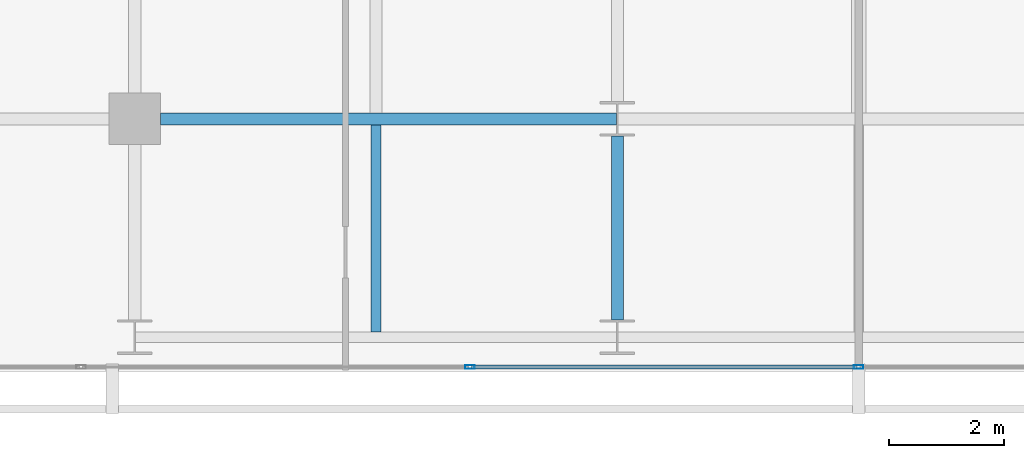
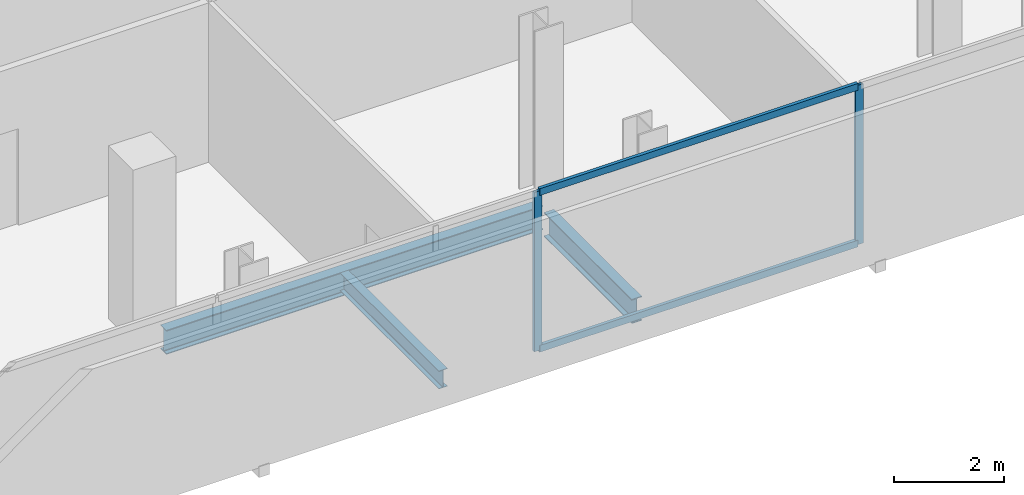
# One storey, part 6 of 32: 4 members, 3 beams, 1 element without a shape of its own.
"""IFC4 building model written with IfcOpenShell, lengths in metres."""

import ifcopenshell
import ifcopenshell.guid

model = None  # the IFC model being written
_history = None  # IfcOwnerHistory: only IFC2X3 demands one
_inside = {}  # id of a spatial element -> (the spatial element, [elements in it])
_under = {}  # id of a project, library or spatial element -> (it, [spatial elements below it])
_declared = {}  # id of a project -> (the project, [libraries it declares])
_typed = {}  # id of a type object -> (the type object, [elements of that type])
_made_of = {}  # id of a material, layer set ... -> (it, [elements and type objects made of it])


def new_model(schema):
    """Start an empty IFC model of exactly this schema.

    Asked for "IFC4X3", IfcOpenShell would pick the latest addendum, in which some entities
    have other attributes; the version numbers below select the first issue.
    IFC2X3 requires an IfcOwnerHistory on every rooted entity: one is made here for all.
    """
    global model, _history
    if schema == "IFC4X3":
        model = ifcopenshell.file(schema_version=(4, 3, 0, 0))
    else:
        model = ifcopenshell.file(schema=schema)
    _inside.clear()
    _under.clear()
    _declared.clear()
    _typed.clear()
    _made_of.clear()
    _history = None
    if model.schema == "IFC2X3":
        org = make("IfcOrganization", Name="unknown")
        user = make(
            "IfcPersonAndOrganization",
            ThePerson=make("IfcPerson", FamilyName="unknown"),
            TheOrganization=org,
        )
        app = make(
            "IfcApplication",
            ApplicationDeveloper=org,
            Version="unknown",
            ApplicationFullName="unknown",
            ApplicationIdentifier="unknown",
        )
        _history = make(
            "IfcOwnerHistory",
            OwningUser=user,
            OwningApplication=app,
            ChangeAction="ADDED",
            CreationDate=0,
        )
    return model


def make(cls, **values):
    """One entity of the class cls with the attributes given. An attribute that is None is left unset."""
    return model.create_entity(
        cls, **{name: value for name, value in values.items() if value is not None}
    )


def rooted(cls, **values):
    """An entity with a GlobalId (a new one), such as an element, a storey or a relation."""
    return make(cls, GlobalId=ifcopenshell.guid.new(), OwnerHistory=_history, **values)


def si_unit(unit_type, name, prefix=None):
    """IfcSIUnit, for example si_unit("LENGTHUNIT", "METRE", prefix="MILLI")."""
    return make("IfcSIUnit", UnitType=unit_type, Prefix=prefix, Name=name)


def assignment(units):
    """IfcUnitAssignment: the units of a project."""
    return None if units is None else make("IfcUnitAssignment", Units=units)


def point(xyz):
    """IfcCartesianPoint."""
    return None if xyz is None else make("IfcCartesianPoint", Coordinates=xyz)


def direction(xyz):
    """IfcDirection."""
    return None if xyz is None else make("IfcDirection", DirectionRatios=xyz)


def frame(location, z_axis=None, x_axis=None):
    """IfcAxis2Placement3D, a coordinate frame: its origin and axes. An axis left out is left unset."""
    return make(
        "IfcAxis2Placement3D",
        Location=point(location),
        Axis=direction(z_axis),
        RefDirection=direction(x_axis),
    )


def frame_2d(location, x_axis=None):
    """IfcAxis2Placement2D, a coordinate frame in the plane: its origin and x axis."""
    return make(
        "IfcAxis2Placement2D", Location=point(location), RefDirection=direction(x_axis)
    )


def origin():
    """The frame at (0, 0, 0) with its axes left unset."""
    return frame((0.0, 0.0, 0.0))


def origin_2d():
    """The frame at (0, 0) in the plane with its x axis left unset."""
    return frame_2d((0.0, 0.0))


def place(relative_to, where):
    """IfcLocalPlacement: puts the frame where relative to a parent placement (None: the world)."""
    return make(
        "IfcLocalPlacement", PlacementRelTo=relative_to, RelativePlacement=where
    )


def context(
    kind, dimensions, precision=None, world=None, true_north=None, identifier=None
):
    """IfcGeometricRepresentationContext, for example the 3D "Model" context."""
    return make(
        "IfcGeometricRepresentationContext",
        ContextIdentifier=identifier,
        ContextType=kind,
        CoordinateSpaceDimension=dimensions,
        Precision=precision,
        WorldCoordinateSystem=world,
        TrueNorth=true_north,
    )


def subcontext(parent, identifier, kind, view, scale=None):
    """IfcGeometricRepresentationSubContext, for example "Body" below "Model"."""
    return make(
        "IfcGeometricRepresentationSubContext",
        ContextIdentifier=identifier,
        ContextType=kind,
        ParentContext=parent,
        TargetScale=scale,
        TargetView=view,
    )


def project(units=None, contexts=None):
    """IfcProject with its units and contexts."""
    return rooted(
        "IfcProject",
        Name="project",
        RepresentationContexts=contexts,
        UnitsInContext=assignment(units),
    )


def spatial(cls, under=None, at=None, **own):
    """A site, building, storey or space (cls), placed at a placement, below another one or the project."""
    s = rooted(cls, ObjectPlacement=at, **own)
    if under is not None:
        _under.setdefault(under.id(), (under, []))[1].append(s)
    return s


def profile(cls, at=None, kind="AREA", **sizes):
    """A parametric profile (cls). Its sizes go by their IFC names, for example OverallWidth=200.0."""
    return make(cls, ProfileType=kind, Position=at, **sizes)


def hollow_rectangle(**sizes):
    """IfcRectangleHollowProfileDef."""
    return profile("IfcRectangleHollowProfileDef", **sizes)


def i_section(**sizes):
    """IfcIShapeProfileDef."""
    return profile("IfcIShapeProfileDef", **sizes)


def extrude(swept, where, along, depth):
    """IfcExtrudedAreaSolid: the profile swept, set in the frame where, extruded along a direction by depth."""
    return make(
        "IfcExtrudedAreaSolid",
        SweptArea=swept,
        Position=where,
        ExtrudedDirection=direction(along),
        Depth=depth,
    )


def shape(context_of_items, identifier, shape_type, items):
    """IfcShapeRepresentation: the items that make up one representation, for example the "Body"."""
    return make(
        "IfcShapeRepresentation",
        ContextOfItems=context_of_items,
        RepresentationIdentifier=identifier,
        RepresentationType=shape_type,
        Items=items,
    )


def material(Name=None, Category=None):
    """IfcMaterial."""
    return make("IfcMaterial", Name=Name, Category=Category)


def layer(
    of_material, thickness, ventilated=None, Name=None, Category=None, Priority=None
):
    """IfcMaterialLayer: one layer of a wall or slab, of a material (None: an air gap)."""
    return make(
        "IfcMaterialLayer",
        Material=of_material,
        LayerThickness=thickness,
        IsVentilated=ventilated,
        Name=Name,
        Category=Category,
        Priority=Priority,
    )


def layer_set(layers, Name=None):
    """IfcMaterialLayerSet."""
    return make("IfcMaterialLayerSet", MaterialLayers=layers, LayerSetName=Name)


def material_profile(
    of_material, cross_section, Name=None, Category=None, Priority=None
):
    """IfcMaterialProfile: a cross section and its material."""
    return make(
        "IfcMaterialProfile",
        Name=Name,
        Material=of_material,
        Profile=cross_section,
        Priority=Priority,
        Category=Category,
    )


def profile_set(profiles, Name=None, composite=None):
    """IfcMaterialProfileSet."""
    return make(
        "IfcMaterialProfileSet",
        Name=Name,
        MaterialProfiles=profiles,
        CompositeProfile=composite,
    )


def made_of(thing, what):
    """Note that an element or type object is made of a material, layer set ...; save() writes the relation."""
    if what is not None:
        _made_of.setdefault(what.id(), (what, []))[1].append(thing)
    return thing


def type_object(cls, material=None, **own):
    """A type object (cls), such as IfcWallType, which elements share."""
    return made_of(rooted(cls, **own), material)


def element(
    cls,
    number,
    at=None,
    inside=None,
    cuts=None,
    type_object=None,
    material=None,
    context=None,
    identifier="Body",
    shape_type=None,
    held_by="IfcProductDefinitionShape",
    body=None,
    shapes=None,
    **own,
):
    """One element of the class cls, such as IfcWall. Its Tag is "e" and its number.

    at: its placement. inside: the storey or other place that contains it. cuts: it is an
    opening in that element (IfcRelVoidsElement). A single representation is given by context,
    identifier, shape_type and body (its items); several are given by shapes. held_by: the class
    of the entity that holds the representations. save() writes the other relations.
    """
    e = rooted(cls, Tag="e%d" % number, ObjectPlacement=at, **own)
    if body is not None:
        shapes = [shape(context, identifier, shape_type, body)]
    if shapes is not None:
        e.Representation = make(held_by, Representations=shapes)
    if inside is not None:
        _inside.setdefault(inside.id(), (inside, []))[1].append(e)
    if cuts is not None:
        rooted(
            "IfcRelVoidsElement", RelatingBuildingElement=cuts, RelatedOpeningElement=e
        )
    if type_object is not None:
        _typed.setdefault(type_object.id(), (type_object, []))[1].append(e)
    return made_of(e, material)


def aggregate(whole, parts):
    """IfcRelAggregates: a whole, such as a stair, and the parts it consists of."""
    return rooted("IfcRelAggregates", RelatingObject=whole, RelatedObjects=parts)


def save(model, path):
    """Write the relations noted so far, then the file.

    IfcRelAggregates (storeys below a building ...), IfcRelContainedInSpatialStructure (elements
    in a storey), IfcRelDefinesByType, IfcRelAssociatesMaterial and IfcRelDeclares: one each for
    every whole, place, type object, material and project.
    """
    for whole, parts in _under.values():
        aggregate(whole, parts)
    for where, things in _inside.values():
        rooted(
            "IfcRelContainedInSpatialStructure",
            RelatedElements=things,
            RelatingStructure=where,
        )
    for kind, things in _typed.values():
        rooted("IfcRelDefinesByType", RelatedObjects=things, RelatingType=kind)
    for what, things in _made_of.values():
        rooted("IfcRelAssociatesMaterial", RelatedObjects=things, RelatingMaterial=what)
    for by, libraries in _declared.values():
        rooted("IfcRelDeclares", RelatingContext=by, RelatedDefinitions=libraries)
    model.write(path)


model = new_model("IFC4")

# Units and contexts
model_context = context("Model", 3, precision=1e-05, world=origin(), true_north=direction((0.0, 1.0)))
body_context = subcontext(model_context, "Body", "Model", "MODEL_VIEW")
ifc_project = project(units=[si_unit("LENGTHUNIT", "METRE"), si_unit("AREAUNIT", "SQUARE_METRE"), si_unit("VOLUMEUNIT", "CUBIC_METRE"), si_unit("PLANEANGLEUNIT", "RADIAN"), si_unit("MASSUNIT", "GRAM", prefix="KILO")], contexts=[model_context])

# Site, building, storey
site_placement = place(None, origin())
site = spatial("IfcSite", under=ifc_project, at=site_placement, CompositionType="ELEMENT")
building_placement = place(site_placement, origin())
building = spatial("IfcBuilding", under=site, at=building_placement, Name="Maruvema Waterfront Hotel and Observation Tower", CompositionType="ELEMENT")
storey_placement = place(building_placement, frame((0.0, 0.0, 223.64990234375)))
storey = spatial("IfcBuildingStorey", under=building, at=storey_placement, Name="L55", CompositionType="ELEMENT", Elevation=223.64990234375)

# Curtain wall, members
ifc_material_1 = material(Name="Anodised bronze aluminium and solar-control low-E IGU", Category="aluminium")
ifc_layer = layer(ifc_material_1, 0.159912109375, Name="Zone 2 Amber Inner Thermal Curtain Wall System CW-03")
ifc_layer_set = layer_set([ifc_layer], Name="Anodised bronze aluminium and solar-control low-E IGU")
curtain_wall_type = type_object("IfcCurtainWallType", Name="Zone 2 Amber Inner Thermal Curtain Wall System CW-03", PredefinedType="USERDEFINED", material=ifc_layer_set)
curtain_wall_placement = place(storey_placement, origin())
curtain_wall = element("IfcCurtainWall", 1, at=curtain_wall_placement, inside=storey, type_object=curtain_wall_type, Name="L55 Curtain Wall CW-L55-S", ObjectType="UNITISED CURTAIN WALL", PredefinedType="USERDEFINED")
ifc_material_2 = material(Name="Anodised architectural bronze aluminium", Category="aluminium")
ifc_material_profile_1 = material_profile(ifc_material_2, hollow_rectangle(XDim=0.070068359375, YDim=0.14990234375, WallThickness=0.00390625, at=origin_2d()), Name="ALU-T70x150")
ifc_profile_set_1 = profile_set([ifc_material_profile_1], Name="Anodised architectural bronze aluminium")
member_type_1 = type_object("IfcMemberType", Name="Curtain Wall Horizontal Transom ALU-T70x150", PredefinedType="USERDEFINED", material=ifc_profile_set_1)
member_1_placement = place(storey_placement, frame((31.063232421875, 4.679931640625, 0.030029296875), z_axis=(1.0, 0.0, 0.0), x_axis=(0.0, 1.0, 0.0)))
member_1 = element("IfcMember", 2, at=member_1_placement, type_object=member_type_1, Name="CW-03 transom 3.1", ObjectType="TRANSOM", PredefinedType="USERDEFINED", context=body_context, shape_type="SweptSolid", body=[
    extrude(hollow_rectangle(XDim=0.070068359375, YDim=0.14990234375, WallThickness=0.00390625, at=origin_2d()), origin(), (0.0, 0.0, 1.0), 6.706787109375),
])
member_2_placement = place(storey_placement, frame((31.063232421875, 4.679931640625, 3.52001953125), z_axis=(1.0, 0.0, 0.0), x_axis=(0.0, 1.0, 0.0)))
member_2 = element("IfcMember", 3, at=member_2_placement, type_object=member_type_1, Name="CW-03 transom 3.2", ObjectType="TRANSOM", PredefinedType="USERDEFINED", context=body_context, shape_type="SweptSolid", body=[
    extrude(hollow_rectangle(XDim=0.070068359375, YDim=0.14990234375, WallThickness=0.00390625, at=origin_2d()), origin(), (0.0, 0.0, 1.0), 6.706787109375),
])
ifc_material_3 = material(Name="Anodised architectural bronze aluminium", Category="aluminium")
ifc_material_profile_2 = material_profile(ifc_material_3, hollow_rectangle(XDim=0.06494140625, YDim=0.1650390625, WallThickness=0.00390625, at=origin_2d()), Name="ALU-M65x165")
ifc_profile_set_2 = profile_set([ifc_material_profile_2], Name="Anodised architectural bronze aluminium")
member_type_2 = type_object("IfcMemberType", Name="Curtain Wall Primary Mullion ALU-M65x165", PredefinedType="MULLION", material=ifc_profile_set_2)
member_3_placement = place(storey_placement, frame((31.033447265625, 4.679931640625, 0.0), z_axis=(0.0, 0.0, 1.0), x_axis=(0.0, 1.0, 0.0)))
member_3 = element("IfcMember", 4, at=member_3_placement, type_object=member_type_2, Name="CW-03 mullion 3", PredefinedType="MULLION", context=body_context, shape_type="SweptSolid", body=[
    extrude(hollow_rectangle(XDim=0.06494140625, YDim=0.1650390625, WallThickness=0.00390625, at=origin_2d()), origin(), (0.0, 0.0, 1.0), 3.550048828125),
])
member_4_placement = place(storey_placement, frame((37.800048828125, 4.679931640625, 0.0), z_axis=(0.0, 0.0, 1.0), x_axis=(0.0, 1.0, 0.0)))
member_4 = element("IfcMember", 5, at=member_4_placement, type_object=member_type_2, Name="CW-03 mullion 4", PredefinedType="MULLION", context=body_context, shape_type="SweptSolid", body=[
    extrude(hollow_rectangle(XDim=0.06494140625, YDim=0.1650390625, WallThickness=0.00390625, at=origin_2d()), origin(), (0.0, 0.0, 1.0), 3.550048828125),
])
aggregate(curtain_wall, [member_3, member_4, member_1, member_2])

# Beams
ifc_material_4 = material(Name="Steel ASTM A572 Grade 50", Category="steel")
ifc_material_profile_3 = material_profile(ifc_material_4, i_section(OverallWidth=0.2109375, OverallDepth=0.5390625, WebThickness=0.01171875, FlangeThickness=0.018798828125, FilletRadius=0.014892578125, at=origin_2d()), Name="W530x109.0")
ifc_profile_set_3 = profile_set([ifc_material_profile_3], Name="Steel ASTM A572 Grade 50")
beam_type_1 = type_object("IfcBeamType", Name="Primary Floor Girder W530x109.0", PredefinedType="BEAM", material=ifc_profile_set_3)
beam_1_placement = place(storey_placement, frame((25.64990234375, 9.0, -0.509521484375), z_axis=(1.0, 0.0, 0.0), x_axis=(0.0, 1.0, 0.0)))
element("IfcBeam", 6, at=beam_1_placement, inside=storey, type_object=beam_type_1, Name="L55 Floor Girder EW-06", PredefinedType="BEAM", context=body_context, shape_type="SweptSolid", body=[
    extrude(i_section(OverallWidth=0.2109375, OverallDepth=0.5390625, WebThickness=0.01171875, FlangeThickness=0.018798828125, FilletRadius=0.014892578125, at=origin_2d()), origin(), (0.0, 0.0, 1.0), 7.9375),
])
beam_2_placement = place(storey_placement, frame((33.60009765625, 5.5, -0.509521484375), z_axis=(0.0, 1.0, 0.0), x_axis=(-1.0, 0.0, 0.0)))
element("IfcBeam", 7, at=beam_2_placement, inside=storey, type_object=beam_type_1, Name="L55 Floor Girder NS-14", PredefinedType="BEAM", context=body_context, shape_type="SweptSolid", body=[
    extrude(i_section(OverallWidth=0.2109375, OverallDepth=0.5390625, WebThickness=0.01171875, FlangeThickness=0.018798828125, FilletRadius=0.014892578125, at=origin_2d()), origin(), (0.0, 0.0, 1.0), 3.199951171875),
])
ifc_material_5 = material(Name="Steel ASTM A572 Grade 50", Category="steel")
ifc_material_profile_4 = material_profile(ifc_material_5, i_section(OverallWidth=0.177001953125, OverallDepth=0.403076171875, WebThickness=0.007568359375, FlangeThickness=0.010986328125, FilletRadius=0.014892578125, at=origin_2d()), Name="W410x53.0")
ifc_profile_set_4 = profile_set([ifc_material_profile_4], Name="Steel ASTM A572 Grade 50")
beam_type_2 = type_object("IfcBeamType", Name="Secondary Floor Joist W410x53.0", PredefinedType="JOIST", material=ifc_profile_set_4)
beam_3_placement = place(storey_placement, frame((29.39990234375, 5.28955078125, -0.44140625), z_axis=(0.0, 1.0, 0.0), x_axis=(-1.0, 0.0, 0.0)))
element("IfcBeam", 8, at=beam_3_placement, inside=storey, type_object=beam_type_2, Name="L55 Secondary Floor Joist JS-05", PredefinedType="JOIST", context=body_context, shape_type="SweptSolid", body=[
    extrude(i_section(OverallWidth=0.177001953125, OverallDepth=0.403076171875, WebThickness=0.007568359375, FlangeThickness=0.010986328125, FilletRadius=0.014892578125, at=origin_2d()), origin(), (0.0, 0.0, 1.0), 3.60498046875),
])

save(model, "model.ifc")
